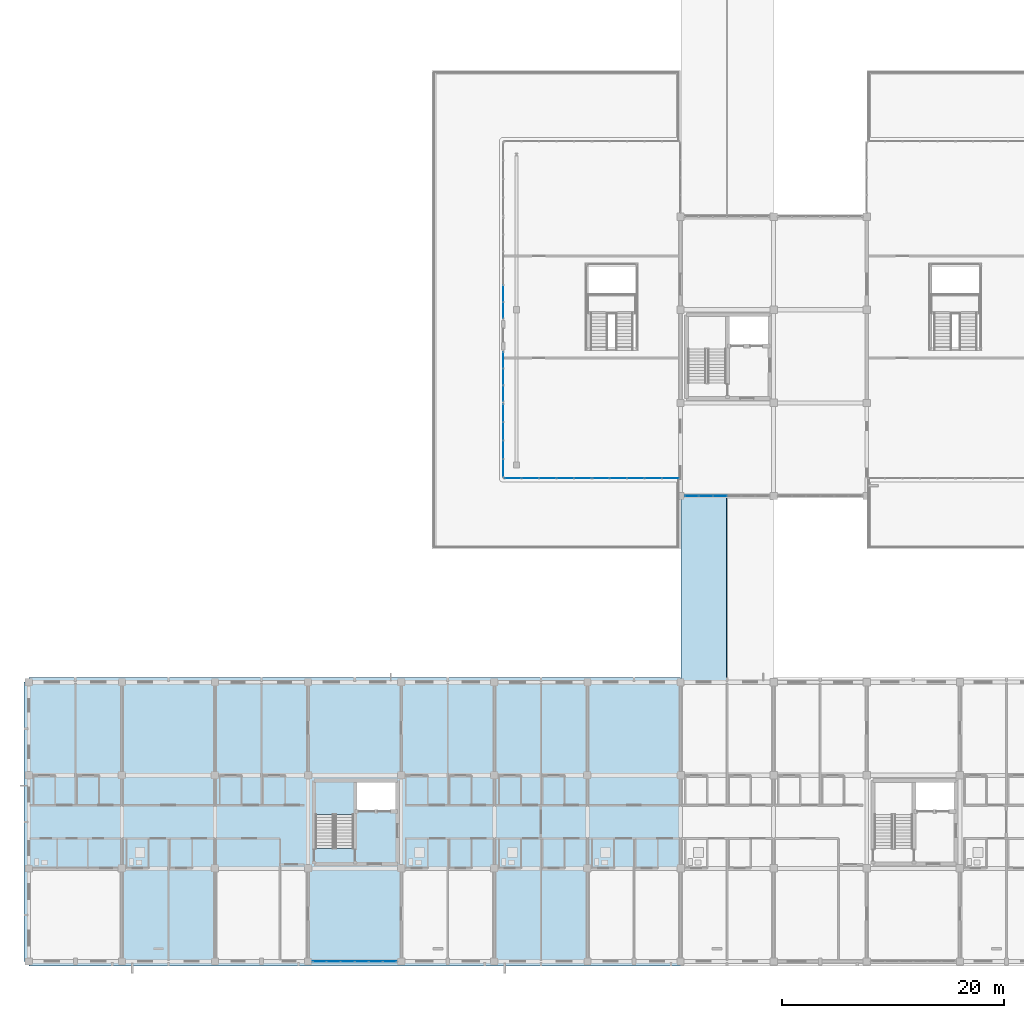
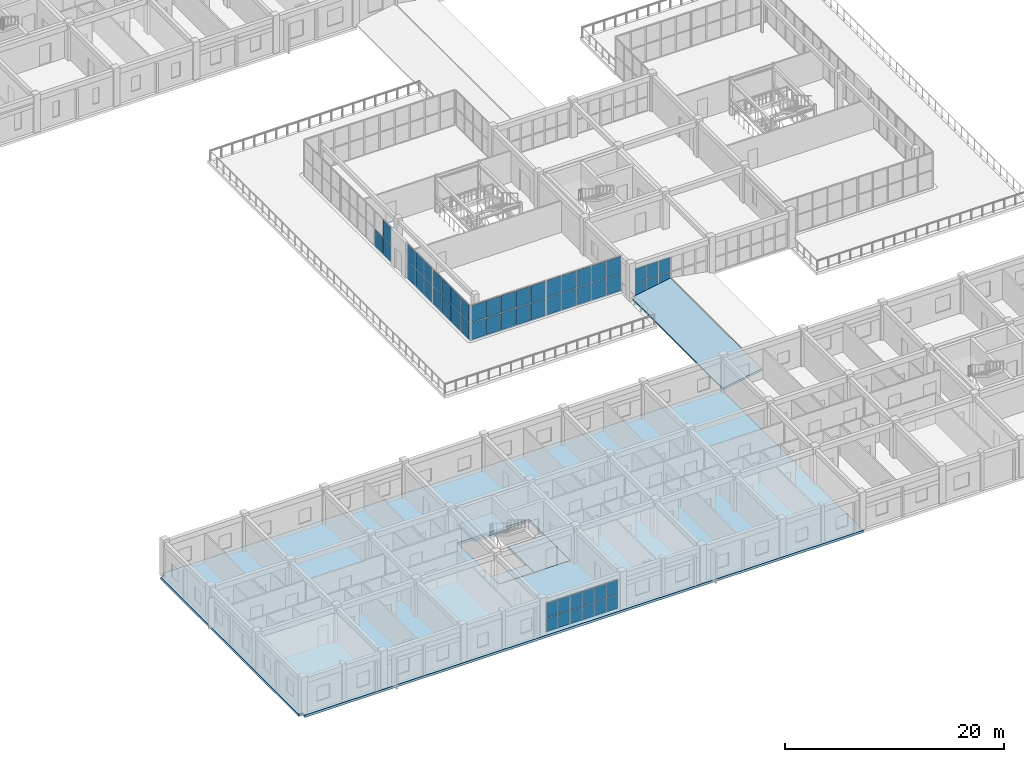
# One storey, part 53 of 90: 55 plates, 5 slabs, 8 elements without a shape of their own.
"""IFC4 building model written with IfcOpenShell, lengths in metres."""

from ifc_helpers import new_model, si_unit, direction, frame, origin, origin_2d, place, context, subcontext, project, spatial, polyline, rectangle, outline, extrude, material, layer, layer_set, type_object, element, aggregate, save


model = new_model("IFC4")

# Units and contexts
model_context = context("Model", 3, precision=1e-05, world=origin(), true_north=direction((0.0, 1.0)))
body_context = subcontext(model_context, "Body", "Model", "MODEL_VIEW")
ifc_project = project(units=[si_unit("LENGTHUNIT", "METRE"), si_unit("AREAUNIT", "SQUARE_METRE"), si_unit("VOLUMEUNIT", "CUBIC_METRE"), si_unit("PLANEANGLEUNIT", "RADIAN"), si_unit("MASSUNIT", "GRAM", prefix="KILO")], contexts=[model_context])

# Site, building, storey
site_placement = place(None, origin())
site = spatial("IfcSite", under=ifc_project, at=site_placement, CompositionType="ELEMENT")
building_placement = place(site_placement, origin())
building = spatial("IfcBuilding", under=site, at=building_placement, Name="Trelvath General Hospital", CompositionType="ELEMENT")
storey_placement = place(building_placement, frame((0.0, 0.0, 20.39990234375)))
storey = spatial("IfcBuildingStorey", under=building, at=storey_placement, Name="L05", CompositionType="ELEMENT", Elevation=20.39990234375)

# Curtain wall, plates
ifc_material_1 = material(Name="Anodised aluminium and low-E glass", Category="aluminium")
ifc_layer_1 = layer(ifc_material_1, 0.14990234375)
ifc_layer_set_1 = layer_set([ifc_layer_1], Name="Anodised aluminium and low-E glass")
curtain_wall_type_1 = type_object("IfcCurtainWallType", Name="CW Facade 764 334 15", PredefinedType="USERDEFINED", material=ifc_layer_set_1)
curtain_wall_1_placement = place(storey_placement, origin())
curtain_wall_1 = element("IfcCurtainWall", 1, at=curtain_wall_1_placement, inside=storey, type_object=curtain_wall_type_1, Name="Facade Curtain Wall CW-068", ObjectType="Unitised Glazed Curtain Wall", PredefinedType="USERDEFINED")
ifc_material_2 = material(Name="Low-E laminated glass", Category="glass")
ifc_layer_2 = layer(ifc_material_2, 0.028076171875)
ifc_layer_set_2 = layer_set([ifc_layer_2], Name="Low-E laminated glass")
plate_type_1 = type_object("IfcPlateType", Name="CurtainPanel Glass28", PredefinedType="CURTAIN_PANEL", material=ifc_layer_set_2)
plate_1_placement = place(storey_placement, frame((49.368408203125, 0.0, 0.06005859375), z_axis=(0.0, 0.0, 1.0), x_axis=(-1.0, 0.0, 0.0)))
plate_1 = element("IfcPlate", 2, at=plate_1_placement, type_object=plate_type_1, Name="CW-068 panel 1.1", PredefinedType="CURTAIN_PANEL", context=body_context, shape_type="SweptSolid", body=[
    extrude(rectangle(XDim=1.183349609375, YDim=0.028076171875, at=origin_2d()), origin(), (0.0, 0.0, 1.0), 1.512939453125),
])
plate_2_placement = place(storey_placement, frame((49.368408203125, 0.0, 1.633056640625), z_axis=(0.0, 0.0, 1.0), x_axis=(-1.0, 0.0, 0.0)))
plate_2 = element("IfcPlate", 3, at=plate_2_placement, type_object=plate_type_1, Name="CW-068 panel 1.2", PredefinedType="CURTAIN_PANEL", context=body_context, shape_type="SweptSolid", body=[
    extrude(rectangle(XDim=1.183349609375, YDim=0.028076171875, at=origin_2d()), origin(), (0.0, 0.0, 1.0), 1.64697265625),
])
plate_3_placement = place(storey_placement, frame((48.110107421875, 0.0, 0.06005859375), z_axis=(0.0, 0.0, 1.0), x_axis=(-1.0, 0.0, 0.0)))
plate_3 = element("IfcPlate", 4, at=plate_3_placement, type_object=plate_type_1, Name="CW-068 panel 2.1", PredefinedType="CURTAIN_PANEL", context=body_context, shape_type="SweptSolid", body=[
    extrude(rectangle(XDim=1.21337890625, YDim=0.028076171875, at=origin_2d()), origin(), (0.0, 0.0, 1.0), 1.512939453125),
])
plate_4_placement = place(storey_placement, frame((48.110107421875, 0.0, 1.633056640625), z_axis=(0.0, 0.0, 1.0), x_axis=(-1.0, 0.0, 0.0)))
plate_4 = element("IfcPlate", 5, at=plate_4_placement, type_object=plate_type_1, Name="CW-068 panel 2.2", PredefinedType="CURTAIN_PANEL", context=body_context, shape_type="SweptSolid", body=[
    extrude(rectangle(XDim=1.21337890625, YDim=0.028076171875, at=origin_2d()), origin(), (0.0, 0.0, 1.0), 1.64697265625),
])
plate_5_placement = place(storey_placement, frame((46.836669921875, 0.0, 0.06005859375), z_axis=(0.0, 0.0, 1.0), x_axis=(-1.0, 0.0, 0.0)))
plate_5 = element("IfcPlate", 6, at=plate_5_placement, type_object=plate_type_1, Name="CW-068 panel 3.1", PredefinedType="CURTAIN_PANEL", context=body_context, shape_type="SweptSolid", body=[
    extrude(rectangle(XDim=1.21337890625, YDim=0.028076171875, at=origin_2d()), origin(), (0.0, 0.0, 1.0), 1.512939453125),
])
plate_6_placement = place(storey_placement, frame((46.836669921875, 0.0, 1.633056640625), z_axis=(0.0, 0.0, 1.0), x_axis=(-1.0, 0.0, 0.0)))
plate_6 = element("IfcPlate", 7, at=plate_6_placement, type_object=plate_type_1, Name="CW-068 panel 3.2", PredefinedType="CURTAIN_PANEL", context=body_context, shape_type="SweptSolid", body=[
    extrude(rectangle(XDim=1.21337890625, YDim=0.028076171875, at=origin_2d()), origin(), (0.0, 0.0, 1.0), 1.64697265625),
])
plate_7_placement = place(storey_placement, frame((45.563232421875, 0.0, 0.06005859375), z_axis=(0.0, 0.0, 1.0), x_axis=(-1.0, 0.0, 0.0)))
plate_7 = element("IfcPlate", 8, at=plate_7_placement, type_object=plate_type_1, Name="CW-068 panel 4.1", PredefinedType="CURTAIN_PANEL", context=body_context, shape_type="SweptSolid", body=[
    extrude(rectangle(XDim=1.21337890625, YDim=0.028076171875, at=origin_2d()), origin(), (0.0, 0.0, 1.0), 1.512939453125),
])
plate_8_placement = place(storey_placement, frame((45.563232421875, 0.0, 1.633056640625), z_axis=(0.0, 0.0, 1.0), x_axis=(-1.0, 0.0, 0.0)))
plate_8 = element("IfcPlate", 9, at=plate_8_placement, type_object=plate_type_1, Name="CW-068 panel 4.2", PredefinedType="CURTAIN_PANEL", context=body_context, shape_type="SweptSolid", body=[
    extrude(rectangle(XDim=1.21337890625, YDim=0.028076171875, at=origin_2d()), origin(), (0.0, 0.0, 1.0), 1.64697265625),
])
plate_9_placement = place(storey_placement, frame((44.2900390625, 0.0, 0.06005859375), z_axis=(0.0, 0.0, 1.0), x_axis=(-1.0, 0.0, 0.0)))
plate_9 = element("IfcPlate", 10, at=plate_9_placement, type_object=plate_type_1, Name="CW-068 panel 5.1", PredefinedType="CURTAIN_PANEL", context=body_context, shape_type="SweptSolid", body=[
    extrude(rectangle(XDim=1.21337890625, YDim=0.028076171875, at=origin_2d()), origin(), (0.0, 0.0, 1.0), 1.512939453125),
])
plate_10_placement = place(storey_placement, frame((44.2900390625, 0.0, 1.633056640625), z_axis=(0.0, 0.0, 1.0), x_axis=(-1.0, 0.0, 0.0)))
plate_10 = element("IfcPlate", 11, at=plate_10_placement, type_object=plate_type_1, Name="CW-068 panel 5.2", PredefinedType="CURTAIN_PANEL", context=body_context, shape_type="SweptSolid", body=[
    extrude(rectangle(XDim=1.21337890625, YDim=0.028076171875, at=origin_2d()), origin(), (0.0, 0.0, 1.0), 1.64697265625),
])
plate_11_placement = place(storey_placement, frame((43.03173828125, 0.0, 0.06005859375), z_axis=(0.0, 0.0, 1.0), x_axis=(-1.0, 0.0, 0.0)))
plate_11 = element("IfcPlate", 12, at=plate_11_placement, type_object=plate_type_1, Name="CW-068 panel 6.1", PredefinedType="CURTAIN_PANEL", context=body_context, shape_type="SweptSolid", body=[
    extrude(rectangle(XDim=1.183349609375, YDim=0.028076171875, at=origin_2d()), origin(), (0.0, 0.0, 1.0), 1.512939453125),
])
plate_12_placement = place(storey_placement, frame((43.03173828125, 0.0, 1.633056640625), z_axis=(0.0, 0.0, 1.0), x_axis=(-1.0, 0.0, 0.0)))
plate_12 = element("IfcPlate", 13, at=plate_12_placement, type_object=plate_type_1, Name="CW-068 panel 6.2", PredefinedType="CURTAIN_PANEL", context=body_context, shape_type="SweptSolid", body=[
    extrude(rectangle(XDim=1.183349609375, YDim=0.028076171875, at=origin_2d()), origin(), (0.0, 0.0, 1.0), 1.64697265625),
])
aggregate(curtain_wall_1, [plate_1, plate_2, plate_3, plate_4, plate_5, plate_6, plate_7, plate_8, plate_9, plate_10, plate_11, plate_12])

ifc_material_3 = material(Name="Anodised aluminium and low-E glass", Category="aluminium")
ifc_layer_3 = layer(ifc_material_3, 0.14990234375)
ifc_layer_set_3 = layer_set([ifc_layer_3], Name="Anodised aluminium and low-E glass")
curtain_wall_type_2 = type_object("IfcCurtainWallType", Name="CW CrystalCube 790 396 15", PredefinedType="USERDEFINED", material=ifc_layer_set_3)
curtain_wall_2_placement = place(storey_placement, origin())
curtain_wall_2 = element("IfcCurtainWall", 14, at=curtain_wall_2_placement, inside=storey, type_object=curtain_wall_type_2, Name="Crystal Cube Curtain Wall CUBE-W-T2 S1 L05", ObjectType="Unitised Glazed Curtain Wall", PredefinedType="USERDEFINED")
plate_13_placement = place(storey_placement, frame((66.77490234375, 43.60009765625, 0.06005859375), z_axis=(0.0, 0.0, 1.0), x_axis=(-1.0, 0.0, 0.0)))
plate_13 = element("IfcPlate", 15, at=plate_13_placement, type_object=plate_type_1, Name="CW-306 panel 1.1", PredefinedType="CURTAIN_PANEL", context=body_context, shape_type="SweptSolid", body=[
    extrude(rectangle(XDim=1.489990234375, YDim=0.028076171875, at=origin_2d()), origin(), (0.0, 0.0, 1.0), 1.889892578125),
])
plate_14_placement = place(storey_placement, frame((66.77490234375, 43.60009765625, 2.01025390625), z_axis=(0.0, 0.0, 1.0), x_axis=(-1.0, 0.0, 0.0)))
plate_14 = element("IfcPlate", 16, at=plate_14_placement, type_object=plate_type_1, Name="CW-306 panel 1.2", PredefinedType="CURTAIN_PANEL", context=body_context, shape_type="SweptSolid", body=[
    extrude(rectangle(XDim=1.489990234375, YDim=0.028076171875, at=origin_2d()), origin(), (0.0, 0.0, 1.0), 1.889892578125),
])
plate_15_placement = place(storey_placement, frame((65.2099609375, 43.60009765625, 0.06005859375), z_axis=(0.0, 0.0, 1.0), x_axis=(-1.0, 0.0, 0.0)))
plate_15 = element("IfcPlate", 17, at=plate_15_placement, type_object=plate_type_1, Name="CW-306 panel 2.1", PredefinedType="CURTAIN_PANEL", context=body_context, shape_type="SweptSolid", body=[
    extrude(rectangle(XDim=1.52001953125, YDim=0.028076171875, at=origin_2d()), origin(), (0.0, 0.0, 1.0), 1.889892578125),
])
plate_16_placement = place(storey_placement, frame((65.2099609375, 43.60009765625, 2.01025390625), z_axis=(0.0, 0.0, 1.0), x_axis=(-1.0, 0.0, 0.0)))
plate_16 = element("IfcPlate", 18, at=plate_16_placement, type_object=plate_type_1, Name="CW-306 panel 2.2", PredefinedType="CURTAIN_PANEL", context=body_context, shape_type="SweptSolid", body=[
    extrude(rectangle(XDim=1.52001953125, YDim=0.028076171875, at=origin_2d()), origin(), (0.0, 0.0, 1.0), 1.889892578125),
])
plate_17_placement = place(storey_placement, frame((63.6298828125, 43.60009765625, 0.06005859375), z_axis=(0.0, 0.0, 1.0), x_axis=(-1.0, 0.0, 0.0)))
plate_17 = element("IfcPlate", 19, at=plate_17_placement, type_object=plate_type_1, Name="CW-306 panel 3.1", PredefinedType="CURTAIN_PANEL", context=body_context, shape_type="SweptSolid", body=[
    extrude(rectangle(XDim=1.52001953125, YDim=0.028076171875, at=origin_2d()), origin(), (0.0, 0.0, 1.0), 1.889892578125),
])
plate_18_placement = place(storey_placement, frame((63.6298828125, 43.60009765625, 2.01025390625), z_axis=(0.0, 0.0, 1.0), x_axis=(-1.0, 0.0, 0.0)))
plate_18 = element("IfcPlate", 20, at=plate_18_placement, type_object=plate_type_1, Name="CW-306 panel 3.2", PredefinedType="CURTAIN_PANEL", context=body_context, shape_type="SweptSolid", body=[
    extrude(rectangle(XDim=1.52001953125, YDim=0.028076171875, at=origin_2d()), origin(), (0.0, 0.0, 1.0), 1.889892578125),
])
plate_19_placement = place(storey_placement, frame((62.050048828125, 43.60009765625, 0.06005859375), z_axis=(0.0, 0.0, 1.0), x_axis=(-1.0, 0.0, 0.0)))
plate_19 = element("IfcPlate", 21, at=plate_19_placement, type_object=plate_type_1, Name="CW-306 panel 4.1", PredefinedType="CURTAIN_PANEL", context=body_context, shape_type="SweptSolid", body=[
    extrude(rectangle(XDim=1.52001953125, YDim=0.028076171875, at=origin_2d()), origin(), (0.0, 0.0, 1.0), 1.889892578125),
])
plate_20_placement = place(storey_placement, frame((62.050048828125, 43.60009765625, 2.01025390625), z_axis=(0.0, 0.0, 1.0), x_axis=(-1.0, 0.0, 0.0)))
plate_20 = element("IfcPlate", 22, at=plate_20_placement, type_object=plate_type_1, Name="CW-306 panel 4.2", PredefinedType="CURTAIN_PANEL", context=body_context, shape_type="SweptSolid", body=[
    extrude(rectangle(XDim=1.52001953125, YDim=0.028076171875, at=origin_2d()), origin(), (0.0, 0.0, 1.0), 1.889892578125),
])
plate_21_placement = place(storey_placement, frame((60.485107421875, 43.60009765625, 0.06005859375), z_axis=(0.0, 0.0, 1.0), x_axis=(-1.0, 0.0, 0.0)))
plate_21 = element("IfcPlate", 23, at=plate_21_placement, type_object=plate_type_1, Name="CW-306 panel 5.1", PredefinedType="CURTAIN_PANEL", context=body_context, shape_type="SweptSolid", body=[
    extrude(rectangle(XDim=1.489990234375, YDim=0.028076171875, at=origin_2d()), origin(), (0.0, 0.0, 1.0), 1.889892578125),
])
plate_22_placement = place(storey_placement, frame((60.485107421875, 43.60009765625, 2.01025390625), z_axis=(0.0, 0.0, 1.0), x_axis=(-1.0, 0.0, 0.0)))
plate_22 = element("IfcPlate", 24, at=plate_22_placement, type_object=plate_type_1, Name="CW-306 panel 5.2", PredefinedType="CURTAIN_PANEL", context=body_context, shape_type="SweptSolid", body=[
    extrude(rectangle(XDim=1.489990234375, YDim=0.028076171875, at=origin_2d()), origin(), (0.0, 0.0, 1.0), 1.889892578125),
])
aggregate(curtain_wall_2, [plate_13, plate_14, plate_15, plate_16, plate_17, plate_18, plate_19, plate_20, plate_21, plate_22])

curtain_wall_3_placement = place(storey_placement, origin())
curtain_wall_3 = element("IfcCurtainWall", 25, at=curtain_wall_3_placement, inside=storey, type_object=curtain_wall_type_2, Name="Crystal Cube Curtain Wall CUBE-W-T2 S2 L05", ObjectType="Unitised Glazed Curtain Wall", PredefinedType="USERDEFINED")
plate_23_placement = place(storey_placement, frame((74.715087890625, 43.60009765625, 0.06005859375), z_axis=(0.0, 0.0, 1.0), x_axis=(-1.0, 0.0, 0.0)))
plate_23 = element("IfcPlate", 26, at=plate_23_placement, type_object=plate_type_1, Name="CW-307 panel 1.1", PredefinedType="CURTAIN_PANEL", context=body_context, shape_type="SweptSolid", body=[
    extrude(rectangle(XDim=1.489990234375, YDim=0.028076171875, at=origin_2d()), origin(), (0.0, 0.0, 1.0), 1.889892578125),
])
plate_24_placement = place(storey_placement, frame((74.715087890625, 43.60009765625, 2.01025390625), z_axis=(0.0, 0.0, 1.0), x_axis=(-1.0, 0.0, 0.0)))
plate_24 = element("IfcPlate", 27, at=plate_24_placement, type_object=plate_type_1, Name="CW-307 panel 1.2", PredefinedType="CURTAIN_PANEL", context=body_context, shape_type="SweptSolid", body=[
    extrude(rectangle(XDim=1.489990234375, YDim=0.028076171875, at=origin_2d()), origin(), (0.0, 0.0, 1.0), 1.889892578125),
])
plate_25_placement = place(storey_placement, frame((73.14990234375, 43.60009765625, 0.06005859375), z_axis=(0.0, 0.0, 1.0), x_axis=(-1.0, 0.0, 0.0)))
plate_25 = element("IfcPlate", 28, at=plate_25_placement, type_object=plate_type_1, Name="CW-307 panel 2.1", PredefinedType="CURTAIN_PANEL", context=body_context, shape_type="SweptSolid", body=[
    extrude(rectangle(XDim=1.52001953125, YDim=0.028076171875, at=origin_2d()), origin(), (0.0, 0.0, 1.0), 1.889892578125),
])
plate_26_placement = place(storey_placement, frame((73.14990234375, 43.60009765625, 2.01025390625), z_axis=(0.0, 0.0, 1.0), x_axis=(-1.0, 0.0, 0.0)))
plate_26 = element("IfcPlate", 29, at=plate_26_placement, type_object=plate_type_1, Name="CW-307 panel 2.2", PredefinedType="CURTAIN_PANEL", context=body_context, shape_type="SweptSolid", body=[
    extrude(rectangle(XDim=1.52001953125, YDim=0.028076171875, at=origin_2d()), origin(), (0.0, 0.0, 1.0), 1.889892578125),
])
plate_27_placement = place(storey_placement, frame((71.570068359375, 43.60009765625, 0.06005859375), z_axis=(0.0, 0.0, 1.0), x_axis=(-1.0, 0.0, 0.0)))
plate_27 = element("IfcPlate", 30, at=plate_27_placement, type_object=plate_type_1, Name="CW-307 panel 3.1", PredefinedType="CURTAIN_PANEL", context=body_context, shape_type="SweptSolid", body=[
    extrude(rectangle(XDim=1.52001953125, YDim=0.028076171875, at=origin_2d()), origin(), (0.0, 0.0, 1.0), 1.889892578125),
])
plate_28_placement = place(storey_placement, frame((71.570068359375, 43.60009765625, 2.01025390625), z_axis=(0.0, 0.0, 1.0), x_axis=(-1.0, 0.0, 0.0)))
plate_28 = element("IfcPlate", 31, at=plate_28_placement, type_object=plate_type_1, Name="CW-307 panel 3.2", PredefinedType="CURTAIN_PANEL", context=body_context, shape_type="SweptSolid", body=[
    extrude(rectangle(XDim=1.52001953125, YDim=0.028076171875, at=origin_2d()), origin(), (0.0, 0.0, 1.0), 1.889892578125),
])
plate_29_placement = place(storey_placement, frame((69.989990234375, 43.60009765625, 0.06005859375), z_axis=(0.0, 0.0, 1.0), x_axis=(-1.0, 0.0, 0.0)))
plate_29 = element("IfcPlate", 32, at=plate_29_placement, type_object=plate_type_1, Name="CW-307 panel 4.1", PredefinedType="CURTAIN_PANEL", context=body_context, shape_type="SweptSolid", body=[
    extrude(rectangle(XDim=1.52001953125, YDim=0.028076171875, at=origin_2d()), origin(), (0.0, 0.0, 1.0), 1.889892578125),
])
plate_30_placement = place(storey_placement, frame((69.989990234375, 43.60009765625, 2.01025390625), z_axis=(0.0, 0.0, 1.0), x_axis=(-1.0, 0.0, 0.0)))
plate_30 = element("IfcPlate", 33, at=plate_30_placement, type_object=plate_type_1, Name="CW-307 panel 4.2", PredefinedType="CURTAIN_PANEL", context=body_context, shape_type="SweptSolid", body=[
    extrude(rectangle(XDim=1.52001953125, YDim=0.028076171875, at=origin_2d()), origin(), (0.0, 0.0, 1.0), 1.889892578125),
])
plate_31_placement = place(storey_placement, frame((68.425048828125, 43.60009765625, 0.06005859375), z_axis=(0.0, 0.0, 1.0), x_axis=(-1.0, 0.0, 0.0)))
plate_31 = element("IfcPlate", 34, at=plate_31_placement, type_object=plate_type_1, Name="CW-307 panel 5.1", PredefinedType="CURTAIN_PANEL", context=body_context, shape_type="SweptSolid", body=[
    extrude(rectangle(XDim=1.489990234375, YDim=0.028076171875, at=origin_2d()), origin(), (0.0, 0.0, 1.0), 1.889892578125),
])
plate_32_placement = place(storey_placement, frame((68.425048828125, 43.60009765625, 2.01025390625), z_axis=(0.0, 0.0, 1.0), x_axis=(-1.0, 0.0, 0.0)))
plate_32 = element("IfcPlate", 35, at=plate_32_placement, type_object=plate_type_1, Name="CW-307 panel 5.2", PredefinedType="CURTAIN_PANEL", context=body_context, shape_type="SweptSolid", body=[
    extrude(rectangle(XDim=1.489990234375, YDim=0.028076171875, at=origin_2d()), origin(), (0.0, 0.0, 1.0), 1.889892578125),
])
aggregate(curtain_wall_3, [plate_23, plate_24, plate_25, plate_26, plate_27, plate_28, plate_29, plate_30, plate_31, plate_32])

ifc_material_4 = material(Name="Anodised aluminium and low-E glass", Category="aluminium")
ifc_layer_4 = layer(ifc_material_4, 0.14990234375)
ifc_layer_set_4 = layer_set([ifc_layer_4], Name="Anodised aluminium and low-E glass")
curtain_wall_type_3 = type_object("IfcCurtainWallType", Name="CW CrystalCube 664 396 15", PredefinedType="USERDEFINED", material=ifc_layer_set_4)
curtain_wall_4_placement = place(storey_placement, origin())
curtain_wall_4 = element("IfcCurtainWall", 36, at=curtain_wall_4_placement, inside=storey, type_object=curtain_wall_type_3, Name="Crystal Cube Curtain Wall CUBE-W-T2 W1 L05", ObjectType="Unitised Glazed Curtain Wall", PredefinedType="USERDEFINED")
plate_33_placement = place(storey_placement, frame((59.60009765625, 44.52490234375, 0.06005859375), z_axis=(0.0, 0.0, 1.0), x_axis=(0.0, 1.0, 0.0)))
plate_33 = element("IfcPlate", 37, at=plate_33_placement, type_object=plate_type_1, Name="CW-310 panel 1.1", PredefinedType="CURTAIN_PANEL", context=body_context, shape_type="SweptSolid", body=[
    extrude(rectangle(XDim=1.570068359375, YDim=0.028076171875, at=origin_2d()), origin(), (0.0, 0.0, 1.0), 1.889892578125),
])
plate_34_placement = place(storey_placement, frame((59.60009765625, 44.52490234375, 2.01025390625), z_axis=(0.0, 0.0, 1.0), x_axis=(0.0, 1.0, 0.0)))
plate_34 = element("IfcPlate", 38, at=plate_34_placement, type_object=plate_type_1, Name="CW-310 panel 1.2", PredefinedType="CURTAIN_PANEL", context=body_context, shape_type="SweptSolid", body=[
    extrude(rectangle(XDim=1.570068359375, YDim=0.028076171875, at=origin_2d()), origin(), (0.0, 0.0, 1.0), 1.889892578125),
])
plate_35_placement = place(storey_placement, frame((59.60009765625, 46.169921875, 0.06005859375), z_axis=(0.0, 0.0, 1.0), x_axis=(0.0, 1.0, 0.0)))
plate_35 = element("IfcPlate", 39, at=plate_35_placement, type_object=plate_type_1, Name="CW-310 panel 2.1", PredefinedType="CURTAIN_PANEL", context=body_context, shape_type="SweptSolid", body=[
    extrude(rectangle(XDim=1.60009765625, YDim=0.028076171875, at=origin_2d()), origin(), (0.0, 0.0, 1.0), 1.889892578125),
])
plate_36_placement = place(storey_placement, frame((59.60009765625, 46.169921875, 2.01025390625), z_axis=(0.0, 0.0, 1.0), x_axis=(0.0, 1.0, 0.0)))
plate_36 = element("IfcPlate", 40, at=plate_36_placement, type_object=plate_type_1, Name="CW-310 panel 2.2", PredefinedType="CURTAIN_PANEL", context=body_context, shape_type="SweptSolid", body=[
    extrude(rectangle(XDim=1.60009765625, YDim=0.028076171875, at=origin_2d()), origin(), (0.0, 0.0, 1.0), 1.889892578125),
])
plate_37_placement = place(storey_placement, frame((59.60009765625, 47.830078125, 0.06005859375), z_axis=(0.0, 0.0, 1.0), x_axis=(0.0, 1.0, 0.0)))
plate_37 = element("IfcPlate", 41, at=plate_37_placement, type_object=plate_type_1, Name="CW-310 panel 3.1", PredefinedType="CURTAIN_PANEL", context=body_context, shape_type="SweptSolid", body=[
    extrude(rectangle(XDim=1.60009765625, YDim=0.028076171875, at=origin_2d()), origin(), (0.0, 0.0, 1.0), 1.889892578125),
])
plate_38_placement = place(storey_placement, frame((59.60009765625, 47.830078125, 2.01025390625), z_axis=(0.0, 0.0, 1.0), x_axis=(0.0, 1.0, 0.0)))
plate_38 = element("IfcPlate", 42, at=plate_38_placement, type_object=plate_type_1, Name="CW-310 panel 3.2", PredefinedType="CURTAIN_PANEL", context=body_context, shape_type="SweptSolid", body=[
    extrude(rectangle(XDim=1.60009765625, YDim=0.028076171875, at=origin_2d()), origin(), (0.0, 0.0, 1.0), 1.889892578125),
])
plate_39_placement = place(storey_placement, frame((59.60009765625, 49.47509765625, 0.06005859375), z_axis=(0.0, 0.0, 1.0), x_axis=(0.0, 1.0, 0.0)))
plate_39 = element("IfcPlate", 43, at=plate_39_placement, type_object=plate_type_1, Name="CW-310 panel 4.1", PredefinedType="CURTAIN_PANEL", context=body_context, shape_type="SweptSolid", body=[
    extrude(rectangle(XDim=1.570068359375, YDim=0.028076171875, at=origin_2d()), origin(), (0.0, 0.0, 1.0), 1.889892578125),
])
plate_40_placement = place(storey_placement, frame((59.60009765625, 49.47509765625, 2.01025390625), z_axis=(0.0, 0.0, 1.0), x_axis=(0.0, 1.0, 0.0)))
plate_40 = element("IfcPlate", 44, at=plate_40_placement, type_object=plate_type_1, Name="CW-310 panel 4.2", PredefinedType="CURTAIN_PANEL", context=body_context, shape_type="SweptSolid", body=[
    extrude(rectangle(XDim=1.570068359375, YDim=0.028076171875, at=origin_2d()), origin(), (0.0, 0.0, 1.0), 1.889892578125),
])
aggregate(curtain_wall_4, [plate_33, plate_34, plate_35, plate_36, plate_37, plate_38, plate_39, plate_40])

ifc_material_5 = material(Name="Anodised aluminium and low-E glass", Category="aluminium")
ifc_layer_5 = layer(ifc_material_5, 0.14990234375)
ifc_layer_set_5 = layer_set([ifc_layer_5], Name="Anodised aluminium and low-E glass")
curtain_wall_type_4 = type_object("IfcCurtainWallType", Name="CW CrystalCube 454 396 15", PredefinedType="USERDEFINED", material=ifc_layer_set_5)
curtain_wall_5_placement = place(storey_placement, origin())
curtain_wall_5 = element("IfcCurtainWall", 45, at=curtain_wall_5_placement, inside=storey, type_object=curtain_wall_type_4, Name="Crystal Cube Curtain Wall CUBE-W-T2 W2 L05", ObjectType="Unitised Glazed Curtain Wall", PredefinedType="USERDEFINED")
plate_41_placement = place(storey_placement, frame((59.60009765625, 51.251708984375, 0.06005859375), z_axis=(0.0, 0.0, 1.0), x_axis=(0.0, 1.0, 0.0)))
plate_41 = element("IfcPlate", 46, at=plate_41_placement, type_object=plate_type_1, Name="CW-311 panel 1.1", PredefinedType="CURTAIN_PANEL", context=body_context, shape_type="SweptSolid", body=[
    extrude(rectangle(XDim=1.42333984375, YDim=0.028076171875, at=origin_2d()), origin(), (0.0, 0.0, 1.0), 1.889892578125),
])
plate_42_placement = place(storey_placement, frame((59.60009765625, 51.251708984375, 2.01025390625), z_axis=(0.0, 0.0, 1.0), x_axis=(0.0, 1.0, 0.0)))
plate_42 = element("IfcPlate", 47, at=plate_42_placement, type_object=plate_type_1, Name="CW-311 panel 1.2", PredefinedType="CURTAIN_PANEL", context=body_context, shape_type="SweptSolid", body=[
    extrude(rectangle(XDim=1.42333984375, YDim=0.028076171875, at=origin_2d()), origin(), (0.0, 0.0, 1.0), 1.889892578125),
])
plate_43_placement = place(storey_placement, frame((59.60009765625, 52.75, 0.06005859375), z_axis=(0.0, 0.0, 1.0), x_axis=(0.0, 1.0, 0.0)))
plate_43 = element("IfcPlate", 48, at=plate_43_placement, type_object=plate_type_1, Name="CW-311 panel 2.1", PredefinedType="CURTAIN_PANEL", context=body_context, shape_type="SweptSolid", body=[
    extrude(rectangle(XDim=1.453369140625, YDim=0.028076171875, at=origin_2d()), origin(), (0.0, 0.0, 1.0), 1.889892578125),
])
plate_44_placement = place(storey_placement, frame((59.60009765625, 52.75, 2.01025390625), z_axis=(0.0, 0.0, 1.0), x_axis=(0.0, 1.0, 0.0)))
plate_44 = element("IfcPlate", 49, at=plate_44_placement, type_object=plate_type_1, Name="CW-311 panel 2.2", PredefinedType="CURTAIN_PANEL", context=body_context, shape_type="SweptSolid", body=[
    extrude(rectangle(XDim=1.453369140625, YDim=0.028076171875, at=origin_2d()), origin(), (0.0, 0.0, 1.0), 1.889892578125),
])
plate_45_placement = place(storey_placement, frame((59.60009765625, 54.248291015625, 0.06005859375), z_axis=(0.0, 0.0, 1.0), x_axis=(0.0, 1.0, 0.0)))
plate_45 = element("IfcPlate", 50, at=plate_45_placement, type_object=plate_type_1, Name="CW-311 panel 3.1", PredefinedType="CURTAIN_PANEL", context=body_context, shape_type="SweptSolid", body=[
    extrude(rectangle(XDim=1.42333984375, YDim=0.028076171875, at=origin_2d()), origin(), (0.0, 0.0, 1.0), 1.889892578125),
])
plate_46_placement = place(storey_placement, frame((59.60009765625, 54.248291015625, 2.01025390625), z_axis=(0.0, 0.0, 1.0), x_axis=(0.0, 1.0, 0.0)))
plate_46 = element("IfcPlate", 51, at=plate_46_placement, type_object=plate_type_1, Name="CW-311 panel 3.2", PredefinedType="CURTAIN_PANEL", context=body_context, shape_type="SweptSolid", body=[
    extrude(rectangle(XDim=1.42333984375, YDim=0.028076171875, at=origin_2d()), origin(), (0.0, 0.0, 1.0), 1.889892578125),
])
aggregate(curtain_wall_5, [plate_41, plate_42, plate_43, plate_44, plate_45, plate_46])

ifc_material_6 = material(Name="Anodised aluminium and low-E glass", Category="aluminium")
ifc_layer_6 = layer(ifc_material_6, 0.14990234375)
ifc_layer_set_6 = layer_set([ifc_layer_6], Name="Anodised aluminium and low-E glass")
curtain_wall_type_5 = type_object("IfcCurtainWallType", Name="CW CrystalCube 914 396 15", PredefinedType="USERDEFINED", material=ifc_layer_set_6)
curtain_wall_6_placement = place(storey_placement, origin())
curtain_wall_6 = element("IfcCurtainWall", 52, at=curtain_wall_6_placement, inside=storey, type_object=curtain_wall_type_5, Name="Crystal Cube Curtain Wall CUBE-W-T2 W4 L05", ObjectType="Unitised Glazed Curtain Wall", PredefinedType="USERDEFINED")
plate_47_placement = place(storey_placement, frame((59.60009765625, 58.756591796875, 0.06005859375), z_axis=(0.0, 0.0, 1.0), x_axis=(0.0, 1.0, 0.0)))
plate_47 = element("IfcPlate", 53, at=plate_47_placement, type_object=plate_type_1, Name="CW-312 panel 1.1", PredefinedType="CURTAIN_PANEL", context=body_context, shape_type="SweptSolid", body=[
    extrude(rectangle(XDim=1.433349609375, YDim=0.028076171875, at=origin_2d()), origin(), (0.0, 0.0, 1.0), 1.889892578125),
])
plate_48_placement = place(storey_placement, frame((59.60009765625, 58.756591796875, 2.01025390625), z_axis=(0.0, 0.0, 1.0), x_axis=(0.0, 1.0, 0.0)))
plate_48 = element("IfcPlate", 54, at=plate_48_placement, type_object=plate_type_1, Name="CW-312 panel 1.2", PredefinedType="CURTAIN_PANEL", context=body_context, shape_type="SweptSolid", body=[
    extrude(rectangle(XDim=1.433349609375, YDim=0.028076171875, at=origin_2d()), origin(), (0.0, 0.0, 1.0), 1.889892578125),
])
plate_49_placement = place(storey_placement, frame((59.60009765625, 60.264892578125, 0.06005859375), z_axis=(0.0, 0.0, 1.0), x_axis=(0.0, 1.0, 0.0)))
plate_49 = element("IfcPlate", 55, at=plate_49_placement, type_object=plate_type_1, Name="CW-312 panel 2.1", PredefinedType="CURTAIN_PANEL", context=body_context, shape_type="SweptSolid", body=[
    extrude(rectangle(XDim=1.46337890625, YDim=0.028076171875, at=origin_2d()), origin(), (0.0, 0.0, 1.0), 1.889892578125),
])
aggregate(curtain_wall_6, [plate_47, plate_48, plate_49])

curtain_wall_7_placement = place(storey_placement, origin())
curtain_wall_7 = element("IfcCurtainWall", 56, at=curtain_wall_7_placement, inside=storey, type_object=curtain_wall_type_1, Name="Facade Curtain Wall CW-070", ObjectType="Unitised Glazed Curtain Wall", PredefinedType="USERDEFINED")
ifc_material_7 = material(Name="Low-E laminated glass", Category="glass")
ifc_layer_7 = layer(ifc_material_7, 0.035888671875)
ifc_layer_set_7 = layer_set([ifc_layer_7], Name="Low-E laminated glass")
plate_type_2 = type_object("IfcPlateType", Name="CurtainPanel Glass36", PredefinedType="CURTAIN_PANEL", material=ifc_layer_set_7)
plate_50_placement = place(storey_placement, frame((79.163330078125, 42.0, 0.06005859375), z_axis=(0.0, 0.0, 1.0), x_axis=(-1.0, 0.0, 0.0)))
plate_50 = element("IfcPlate", 57, at=plate_50_placement, type_object=plate_type_2, Name="CW-070 panel 4.1", PredefinedType="CURTAIN_PANEL", context=body_context, shape_type="SweptSolid", body=[
    extrude(rectangle(XDim=1.21337890625, YDim=0.035888671875, at=origin_2d()), origin(), (0.0, 0.0, 1.0), 1.512939453125),
])
plate_51_placement = place(storey_placement, frame((79.163330078125, 42.0, 1.633056640625), z_axis=(0.0, 0.0, 1.0), x_axis=(-1.0, 0.0, 0.0)))
plate_51 = element("IfcPlate", 58, at=plate_51_placement, type_object=plate_type_2, Name="CW-070 panel 4.2", PredefinedType="CURTAIN_PANEL", context=body_context, shape_type="SweptSolid", body=[
    extrude(rectangle(XDim=1.21337890625, YDim=0.035888671875, at=origin_2d()), origin(), (0.0, 0.0, 1.0), 1.64697265625),
])
plate_52_placement = place(storey_placement, frame((77.889892578125, 42.0, 0.06005859375), z_axis=(0.0, 0.0, 1.0), x_axis=(-1.0, 0.0, 0.0)))
plate_52 = element("IfcPlate", 59, at=plate_52_placement, type_object=plate_type_2, Name="CW-070 panel 5.1", PredefinedType="CURTAIN_PANEL", context=body_context, shape_type="SweptSolid", body=[
    extrude(rectangle(XDim=1.21337890625, YDim=0.035888671875, at=origin_2d()), origin(), (0.0, 0.0, 1.0), 1.512939453125),
])
plate_53_placement = place(storey_placement, frame((77.889892578125, 42.0, 1.633056640625), z_axis=(0.0, 0.0, 1.0), x_axis=(-1.0, 0.0, 0.0)))
plate_53 = element("IfcPlate", 60, at=plate_53_placement, type_object=plate_type_2, Name="CW-070 panel 5.2", PredefinedType="CURTAIN_PANEL", context=body_context, shape_type="SweptSolid", body=[
    extrude(rectangle(XDim=1.21337890625, YDim=0.035888671875, at=origin_2d()), origin(), (0.0, 0.0, 1.0), 1.64697265625),
])
plate_54_placement = place(storey_placement, frame((76.631591796875, 42.0, 0.06005859375), z_axis=(0.0, 0.0, 1.0), x_axis=(-1.0, 0.0, 0.0)))
plate_54 = element("IfcPlate", 61, at=plate_54_placement, type_object=plate_type_2, Name="CW-070 panel 6.1", PredefinedType="CURTAIN_PANEL", context=body_context, shape_type="SweptSolid", body=[
    extrude(rectangle(XDim=1.183349609375, YDim=0.035888671875, at=origin_2d()), origin(), (0.0, 0.0, 1.0), 1.512939453125),
])
plate_55_placement = place(storey_placement, frame((76.631591796875, 42.0, 1.633056640625), z_axis=(0.0, 0.0, 1.0), x_axis=(-1.0, 0.0, 0.0)))
plate_55 = element("IfcPlate", 62, at=plate_55_placement, type_object=plate_type_2, Name="CW-070 panel 6.2", PredefinedType="CURTAIN_PANEL", context=body_context, shape_type="SweptSolid", body=[
    extrude(rectangle(XDim=1.183349609375, YDim=0.035888671875, at=origin_2d()), origin(), (0.0, 0.0, 1.0), 1.64697265625),
])
aggregate(curtain_wall_7, [plate_50, plate_51, plate_52, plate_53, plate_54, plate_55])

# Slabs
ifc_material_8 = material(Name="Concrete C35/45", Category="concrete")
ifc_layer_8 = layer(ifc_material_8, 0.260009765625)
ifc_layer_set_8 = layer_set([ifc_layer_8], Name="Concrete C35/45")
slab_type_1 = type_object("IfcSlabType", Name="FlatSlab Ward260", PredefinedType="FLOOR", material=ifc_layer_set_8)
slab_1_placement = place(storey_placement, frame((0.0, 0.0, -0.260009765625)))
element("IfcSlab", 63, at=slab_1_placement, inside=storey, type_object=slab_type_1, Name="Floor Slab SL-L05-V6-S1", PredefinedType="FLOOR", context=body_context, shape_type="SweptSolid", body=[
    extrude(outline(polyline([(75.60009765625, -0.02001953125), (75.60009765625, -0.419921875), (16.800048828125, -0.419921875), (16.800048828125, 0.0), (16.3798828125, 0.0), (16.3798828125, 25.199951171875), (16.800048828125, 25.199951171875), (16.800048828125, 25.6201171875), (75.60009765625, 25.6201171875), (75.60009765625, 25.219970703125), (75.580078125, 25.219970703125), (75.60009765625, 25.199951171875), (75.60009765625, 0.0), (75.580078125, -0.02001953125), (75.60009765625, -0.02001953125)]), holes=[polyline([(42.550048828125, 8.800048828125), (50.050048828125, 8.800048828125), (50.050048828125, 16.35009765625), (42.550048828125, 16.35009765625), (42.550048828125, 8.800048828125)])]), origin(), (0.0, 0.0, 1.0), 0.260009765625),
])
slab_2_placement = place(storey_placement, frame((0.0, 0.0, -0.260009765625)))
element("IfcSlab", 64, at=slab_2_placement, inside=storey, type_object=slab_type_1, Name="Core Lobby Slab C4 L05", PredefinedType="FLOOR", context=body_context, shape_type="SweptSolid", body=[
    extrude(outline(polyline([(46.25, 8.800048828125), (50.050048828125, 8.800048828125), (50.050048828125, 13.550048828125), (46.25, 13.550048828125), (46.25, 8.800048828125)])), origin(), (0.0, 0.0, 1.0), 0.260009765625),
])
slab_3_placement = place(storey_placement, frame((0.0, 0.0, -0.260009765625)))
element("IfcSlab", 65, at=slab_3_placement, inside=storey, type_object=slab_type_1, Name="Stair Landing Slab C4 L05", PredefinedType="FLOOR", context=body_context, shape_type="SweptSolid", body=[
    extrude(outline(polyline([(42.550048828125, 8.800048828125), (46.25, 8.800048828125), (46.25, 10.199951171875), (42.550048828125, 10.199951171875), (42.550048828125, 8.800048828125)])), origin(), (0.0, 0.0, 1.0), 0.260009765625),
])
ifc_material_9 = material(Name="Concrete C35/45", Category="concrete")
ifc_layer_9 = layer(ifc_material_9, 0.219970703125)
ifc_layer_set_9 = layer_set([ifc_layer_9], Name="Concrete C35/45")
slab_type_2 = type_object("IfcSlabType", Name="RoofSlab Folded220", PredefinedType="ROOF", material=ifc_layer_set_9)
slab_4_placement = place(storey_placement, frame((75.6201171875, 25.260009765625, 0.22998046875), z_axis=(-0.171798287749, 0.0, 0.985132147647), x_axis=(0.985132147647, 0.0, 0.171798287749)))
element("IfcSlab", 66, at=slab_4_placement, inside=storey, type_object=slab_type_2, Name="Glazed Bridge Gable Roof BRG-S-C W", PredefinedType="ROOF", context=body_context, shape_type="SweptSolid", body=[
    extrude(outline(polyline([(0.0, 0.0), (4.19221200157396, 0.0), (4.19221200157396, 16.679931640624996), (0.0, 16.679931640624996), (0.0, 0.0)])), origin(), (0.0, 0.0, -1.0), 0.219970703125),
])

# Stair, slab
ifc_material_10 = material(Name="Concrete C35/45", Category="concrete")
stair_type = type_object("IfcStairType", Name="Stair Stretcher420", PredefinedType="TWO_STRAIGHT_RUN_STAIR", material=ifc_material_10)
stair_placement = place(storey_placement, origin())
stair = element("IfcStair", 67, at=stair_placement, inside=storey, type_object=stair_type, Name="Exit Stair ST4 L05", PredefinedType="TWO_STRAIGHT_RUN_STAIR")
ifc_material_11 = material(Name="Concrete C35/45", Category="concrete")
ifc_layer_10 = layer(ifc_material_11, 0.199951171875)
ifc_layer_set_10 = layer_set([ifc_layer_10], Name="Concrete C35/45")
slab_type_3 = type_object("IfcSlabType", Name="StairLanding 200", PredefinedType="LANDING", material=ifc_layer_set_10)
slab_5_placement = place(storey_placement, frame((0.0, 0.0, 1.900146484375)))
slab_5 = element("IfcSlab", 68, at=slab_5_placement, type_object=slab_type_3, Name="ST4-L05 landing 1", PredefinedType="LANDING", context=body_context, shape_type="SweptSolid", body=[
    extrude(outline(polyline([(42.56005859375, 13.280029296875), (46.239990234375, 13.280029296875), (46.239990234375, 16.340087890625), (42.56005859375, 16.340087890625), (42.56005859375, 13.280029296875)])), origin(), (0.0, 0.0, 1.0), 0.199951171875),
])
aggregate(stair, [slab_5])

save(model, "model.ifc")
